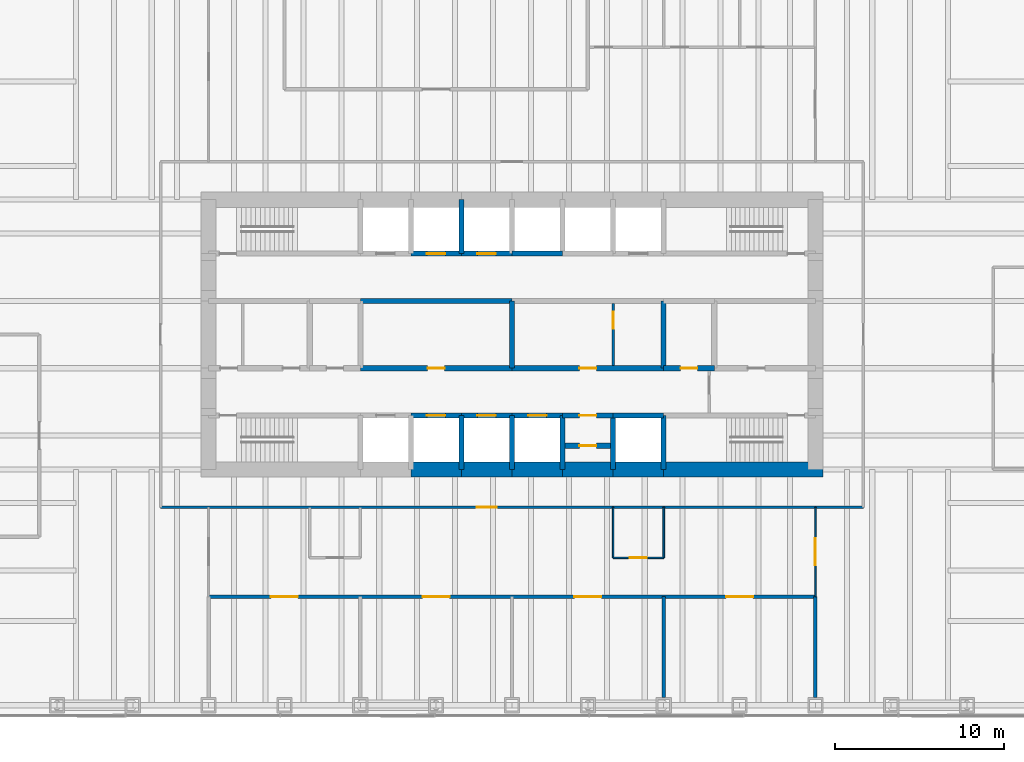
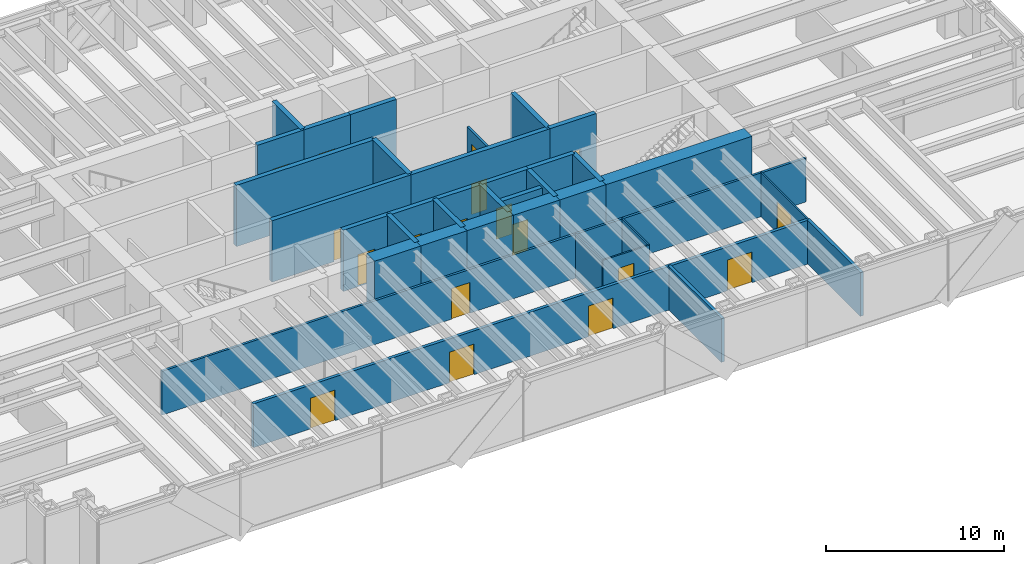
# One storey, part 12 of 15: 36 walls, 18 doors, 18 openings.
"""IFC4 building model written with IfcOpenShell, lengths in metres."""

import ifcopenshell
import ifcopenshell.guid

model = None  # the IFC model being written
_history = None  # IfcOwnerHistory: only IFC2X3 demands one
_inside = {}  # id of a spatial element -> (the spatial element, [elements in it])
_under = {}  # id of a project, library or spatial element -> (it, [spatial elements below it])
_declared = {}  # id of a project -> (the project, [libraries it declares])
_typed = {}  # id of a type object -> (the type object, [elements of that type])
_made_of = {}  # id of a material, layer set ... -> (it, [elements and type objects made of it])


def new_model(schema):
    """Start an empty IFC model of exactly this schema.

    Asked for "IFC4X3", IfcOpenShell would pick the latest addendum, in which some entities
    have other attributes; the version numbers below select the first issue.
    IFC2X3 requires an IfcOwnerHistory on every rooted entity: one is made here for all.
    """
    global model, _history
    if schema == "IFC4X3":
        model = ifcopenshell.file(schema_version=(4, 3, 0, 0))
    else:
        model = ifcopenshell.file(schema=schema)
    _inside.clear()
    _under.clear()
    _declared.clear()
    _typed.clear()
    _made_of.clear()
    _history = None
    if model.schema == "IFC2X3":
        org = make("IfcOrganization", Name="unknown")
        user = make(
            "IfcPersonAndOrganization",
            ThePerson=make("IfcPerson", FamilyName="unknown"),
            TheOrganization=org,
        )
        app = make(
            "IfcApplication",
            ApplicationDeveloper=org,
            Version="unknown",
            ApplicationFullName="unknown",
            ApplicationIdentifier="unknown",
        )
        _history = make(
            "IfcOwnerHistory",
            OwningUser=user,
            OwningApplication=app,
            ChangeAction="ADDED",
            CreationDate=0,
        )
    return model


def make(cls, **values):
    """One entity of the class cls with the attributes given. An attribute that is None is left unset."""
    return model.create_entity(
        cls, **{name: value for name, value in values.items() if value is not None}
    )


def rooted(cls, **values):
    """An entity with a GlobalId (a new one), such as an element, a storey or a relation."""
    return make(cls, GlobalId=ifcopenshell.guid.new(), OwnerHistory=_history, **values)


def si_unit(unit_type, name, prefix=None):
    """IfcSIUnit, for example si_unit("LENGTHUNIT", "METRE", prefix="MILLI")."""
    return make("IfcSIUnit", UnitType=unit_type, Prefix=prefix, Name=name)


def assignment(units):
    """IfcUnitAssignment: the units of a project."""
    return None if units is None else make("IfcUnitAssignment", Units=units)


def point(xyz):
    """IfcCartesianPoint."""
    return None if xyz is None else make("IfcCartesianPoint", Coordinates=xyz)


def direction(xyz):
    """IfcDirection."""
    return None if xyz is None else make("IfcDirection", DirectionRatios=xyz)


def frame(location, z_axis=None, x_axis=None):
    """IfcAxis2Placement3D, a coordinate frame: its origin and axes. An axis left out is left unset."""
    return make(
        "IfcAxis2Placement3D",
        Location=point(location),
        Axis=direction(z_axis),
        RefDirection=direction(x_axis),
    )


def frame_2d(location, x_axis=None):
    """IfcAxis2Placement2D, a coordinate frame in the plane: its origin and x axis."""
    return make(
        "IfcAxis2Placement2D", Location=point(location), RefDirection=direction(x_axis)
    )


def origin():
    """The frame at (0, 0, 0) with its axes left unset."""
    return frame((0.0, 0.0, 0.0))


def place(relative_to, where):
    """IfcLocalPlacement: puts the frame where relative to a parent placement (None: the world)."""
    return make(
        "IfcLocalPlacement", PlacementRelTo=relative_to, RelativePlacement=where
    )


def context(
    kind, dimensions, precision=None, world=None, true_north=None, identifier=None
):
    """IfcGeometricRepresentationContext, for example the 3D "Model" context."""
    return make(
        "IfcGeometricRepresentationContext",
        ContextIdentifier=identifier,
        ContextType=kind,
        CoordinateSpaceDimension=dimensions,
        Precision=precision,
        WorldCoordinateSystem=world,
        TrueNorth=true_north,
    )


def subcontext(parent, identifier, kind, view, scale=None):
    """IfcGeometricRepresentationSubContext, for example "Body" below "Model"."""
    return make(
        "IfcGeometricRepresentationSubContext",
        ContextIdentifier=identifier,
        ContextType=kind,
        ParentContext=parent,
        TargetScale=scale,
        TargetView=view,
    )


def project(units=None, contexts=None):
    """IfcProject with its units and contexts."""
    return rooted(
        "IfcProject",
        Name="project",
        RepresentationContexts=contexts,
        UnitsInContext=assignment(units),
    )


def spatial(cls, under=None, at=None, **own):
    """A site, building, storey or space (cls), placed at a placement, below another one or the project."""
    s = rooted(cls, ObjectPlacement=at, **own)
    if under is not None:
        _under.setdefault(under.id(), (under, []))[1].append(s)
    return s


def profile(cls, at=None, kind="AREA", **sizes):
    """A parametric profile (cls). Its sizes go by their IFC names, for example OverallWidth=200.0."""
    return make(cls, ProfileType=kind, Position=at, **sizes)


def rectangle(**sizes):
    """IfcRectangleProfileDef."""
    return profile("IfcRectangleProfileDef", **sizes)


def extrude(swept, where, along, depth):
    """IfcExtrudedAreaSolid: the profile swept, set in the frame where, extruded along a direction by depth."""
    return make(
        "IfcExtrudedAreaSolid",
        SweptArea=swept,
        Position=where,
        ExtrudedDirection=direction(along),
        Depth=depth,
    )


def shape(context_of_items, identifier, shape_type, items):
    """IfcShapeRepresentation: the items that make up one representation, for example the "Body"."""
    return make(
        "IfcShapeRepresentation",
        ContextOfItems=context_of_items,
        RepresentationIdentifier=identifier,
        RepresentationType=shape_type,
        Items=items,
    )


def material(Name=None, Category=None):
    """IfcMaterial."""
    return make("IfcMaterial", Name=Name, Category=Category)


def layer(
    of_material, thickness, ventilated=None, Name=None, Category=None, Priority=None
):
    """IfcMaterialLayer: one layer of a wall or slab, of a material (None: an air gap)."""
    return make(
        "IfcMaterialLayer",
        Material=of_material,
        LayerThickness=thickness,
        IsVentilated=ventilated,
        Name=Name,
        Category=Category,
        Priority=Priority,
    )


def layer_set(layers, Name=None):
    """IfcMaterialLayerSet."""
    return make("IfcMaterialLayerSet", MaterialLayers=layers, LayerSetName=Name)


def made_of(thing, what):
    """Note that an element or type object is made of a material, layer set ...; save() writes the relation."""
    if what is not None:
        _made_of.setdefault(what.id(), (what, []))[1].append(thing)
    return thing


def type_object(cls, material=None, **own):
    """A type object (cls), such as IfcWallType, which elements share."""
    return made_of(rooted(cls, **own), material)


def element(
    cls,
    number,
    at=None,
    inside=None,
    cuts=None,
    type_object=None,
    material=None,
    context=None,
    identifier="Body",
    shape_type=None,
    held_by="IfcProductDefinitionShape",
    body=None,
    shapes=None,
    **own,
):
    """One element of the class cls, such as IfcWall. Its Tag is "e" and its number.

    at: its placement. inside: the storey or other place that contains it. cuts: it is an
    opening in that element (IfcRelVoidsElement). A single representation is given by context,
    identifier, shape_type and body (its items); several are given by shapes. held_by: the class
    of the entity that holds the representations. save() writes the other relations.
    """
    e = rooted(cls, Tag="e%d" % number, ObjectPlacement=at, **own)
    if body is not None:
        shapes = [shape(context, identifier, shape_type, body)]
    if shapes is not None:
        e.Representation = make(held_by, Representations=shapes)
    if inside is not None:
        _inside.setdefault(inside.id(), (inside, []))[1].append(e)
    if cuts is not None:
        rooted(
            "IfcRelVoidsElement", RelatingBuildingElement=cuts, RelatedOpeningElement=e
        )
    if type_object is not None:
        _typed.setdefault(type_object.id(), (type_object, []))[1].append(e)
    return made_of(e, material)


def fill(opening, filler):
    """IfcRelFillsElement: the door or window that sits in an opening."""
    return rooted(
        "IfcRelFillsElement",
        RelatingOpeningElement=opening,
        RelatedBuildingElement=filler,
    )


def aggregate(whole, parts):
    """IfcRelAggregates: a whole, such as a stair, and the parts it consists of."""
    return rooted("IfcRelAggregates", RelatingObject=whole, RelatedObjects=parts)


def save(model, path):
    """Write the relations noted so far, then the file.

    IfcRelAggregates (storeys below a building ...), IfcRelContainedInSpatialStructure (elements
    in a storey), IfcRelDefinesByType, IfcRelAssociatesMaterial and IfcRelDeclares: one each for
    every whole, place, type object, material and project.
    """
    for whole, parts in _under.values():
        aggregate(whole, parts)
    for where, things in _inside.values():
        rooted(
            "IfcRelContainedInSpatialStructure",
            RelatedElements=things,
            RelatingStructure=where,
        )
    for kind, things in _typed.values():
        rooted("IfcRelDefinesByType", RelatedObjects=things, RelatingType=kind)
    for what, things in _made_of.values():
        rooted("IfcRelAssociatesMaterial", RelatedObjects=things, RelatingMaterial=what)
    for by, libraries in _declared.values():
        rooted("IfcRelDeclares", RelatingContext=by, RelatedDefinitions=libraries)
    model.write(path)


model = new_model("IFC4")

# Units and contexts
model_context = context("Model", 3, precision=1e-05, world=origin(), true_north=direction((0.0, 1.0)))
body_context = subcontext(model_context, "Body", "Model", "MODEL_VIEW")
ifc_project = project(units=[si_unit("LENGTHUNIT", "METRE"), si_unit("AREAUNIT", "SQUARE_METRE"), si_unit("VOLUMEUNIT", "CUBIC_METRE"), si_unit("PLANEANGLEUNIT", "RADIAN"), si_unit("MASSUNIT", "GRAM", prefix="KILO")], contexts=[model_context])

# Site, building, storey
site_placement = place(None, origin())
site = spatial("IfcSite", under=ifc_project, at=site_placement, CompositionType="ELEMENT")
building_placement = place(site_placement, origin())
building = spatial("IfcBuilding", under=site, at=building_placement, Name="Rheinbord Bourse Tower", CompositionType="ELEMENT")
storey_placement = place(building_placement, frame((0.0, 0.0, 146.699951171875)))
storey = spatial("IfcBuildingStorey", under=building, at=storey_placement, Name="L32", CompositionType="ELEMENT", Elevation=146.699951171875)

# Wall, openings, doors
ifc_material_1 = material(Name="Acoustic gypsum board partition", Category="gypsum board")
ifc_layer_1 = layer(ifc_material_1, 0.199951171875)
ifc_layer_set_1 = layer_set([ifc_layer_1], Name="ACOUSTIC PARTITION 200")
wall_type_1 = type_object("IfcWallType", Name="ACOUSTIC PARTITION 200", PredefinedType="PARTITIONING", material=ifc_layer_set_1)
wall_1_placement = place(storey_placement, frame((18.0, 8.449951171875, 0.0), z_axis=(0.0, 0.0, 1.0), x_axis=(1.0, 0.0, 0.0)))
wall_1 = element("IfcWall", 1, at=wall_1_placement, inside=storey, type_object=wall_type_1, Name="Partition L32-01", PredefinedType="PARTITIONING", context=body_context, shape_type="SweptSolid", body=[
    extrude(rectangle(XDim=36.0, YDim=0.199951171875, at=frame_2d((18.0, 0.0))), origin(), (0.0, 0.0, 1.0), 3.0),
])
opening_1_placement = place(wall_1_placement, frame((3.699951171875, 0.0, 0.0)))
opening_1 = element("IfcOpeningElement", 2, at=opening_1_placement, cuts=wall_1, Name="Opening 32D01", PredefinedType="OPENING", context=body_context, shape_type="SweptSolid", body=[
    extrude(rectangle(XDim=1.60009765625, YDim=2.10009765625, at=frame_2d((0.800048828125, 1.050048828125))), frame((0.0, 0.10986328125, 0.0), z_axis=(0.0, -1.0, 0.0), x_axis=(1.0, 0.0, 0.0)), (0.0, 0.0, 1.0), 0.219970703125),
])
opening_2_placement = place(wall_1_placement, frame((12.699951171875, 0.0, 0.0)))
opening_2 = element("IfcOpeningElement", 3, at=opening_2_placement, cuts=wall_1, Name="Opening 32D02", PredefinedType="OPENING", context=body_context, shape_type="SweptSolid", body=[
    extrude(rectangle(XDim=1.60009765625, YDim=2.10009765625, at=frame_2d((0.800048828125, 1.050048828125))), frame((0.0, 0.10986328125, 0.0), z_axis=(0.0, -1.0, 0.0), x_axis=(1.0, 0.0, 0.0)), (0.0, 0.0, 1.0), 0.219970703125),
])
opening_3_placement = place(wall_1_placement, frame((21.699951171875, 0.0, 0.0)))
opening_3 = element("IfcOpeningElement", 4, at=opening_3_placement, cuts=wall_1, Name="Opening 32D03", PredefinedType="OPENING", context=body_context, shape_type="SweptSolid", body=[
    extrude(rectangle(XDim=1.60009765625, YDim=2.10009765625, at=frame_2d((0.800048828125, 1.050048828125))), frame((0.0, 0.10986328125, 0.0), z_axis=(0.0, -1.0, 0.0), x_axis=(1.0, 0.0, 0.0)), (0.0, 0.0, 1.0), 0.219970703125),
])
opening_4_placement = place(wall_1_placement, frame((30.699951171875, 0.0, 0.0)))
opening_4 = element("IfcOpeningElement", 5, at=opening_4_placement, cuts=wall_1, Name="Opening 32D04", PredefinedType="OPENING", context=body_context, shape_type="SweptSolid", body=[
    extrude(rectangle(XDim=1.60009765625, YDim=2.10009765625, at=frame_2d((0.800048828125, 1.050048828125))), frame((0.0, 0.10986328125, 0.0), z_axis=(0.0, -1.0, 0.0), x_axis=(1.0, 0.0, 0.0)), (0.0, 0.0, 1.0), 0.219970703125),
])
ifc_material_2 = material(Name="Timber door", Category="wood")
door_type_1 = type_object("IfcDoorType", Name="DOUBLE ROOM DOOR 1600", OperationType="DOUBLE_DOOR_DOUBLE_SWING", PredefinedType="DOOR", material=ifc_material_2)
door_1_placement = place(opening_1_placement, origin())
door_1 = element("IfcDoor", 6, at=door_1_placement, inside=storey, type_object=door_type_1, Name="Seminar room door L32", OperationType="SINGLE_SWING_LEFT", OverallHeight=2.10009765625, OverallWidth=1.60009765625, PredefinedType="DOOR", context=body_context, shape_type="SweptSolid", body=[
    extrude(rectangle(XDim=1.60009765625, YDim=2.10009765625, at=frame_2d((0.800048828125, 1.050048828125))), frame((0.0, 0.02490234375, 0.0), z_axis=(0.0, -1.0, 0.0), x_axis=(1.0, 0.0, 0.0)), (0.0, 0.0, 1.0), 0.050048828125),
])
fill(opening_1, door_1)
door_2_placement = place(opening_2_placement, origin())
door_2 = element("IfcDoor", 7, at=door_2_placement, inside=storey, type_object=door_type_1, Name="Seminar room door L32", OperationType="SINGLE_SWING_LEFT", OverallHeight=2.10009765625, OverallWidth=1.60009765625, PredefinedType="DOOR", context=body_context, shape_type="SweptSolid", body=[
    extrude(rectangle(XDim=1.60009765625, YDim=2.10009765625, at=frame_2d((0.800048828125, 1.050048828125))), frame((0.0, 0.02490234375, 0.0), z_axis=(0.0, -1.0, 0.0), x_axis=(1.0, 0.0, 0.0)), (0.0, 0.0, 1.0), 0.050048828125),
])
fill(opening_2, door_2)
door_3_placement = place(opening_3_placement, origin())
door_3 = element("IfcDoor", 8, at=door_3_placement, inside=storey, type_object=door_type_1, Name="Seminar room door L32", OperationType="SINGLE_SWING_LEFT", OverallHeight=2.10009765625, OverallWidth=1.60009765625, PredefinedType="DOOR", context=body_context, shape_type="SweptSolid", body=[
    extrude(rectangle(XDim=1.60009765625, YDim=2.10009765625, at=frame_2d((0.800048828125, 1.050048828125))), frame((0.0, 0.02490234375, 0.0), z_axis=(0.0, -1.0, 0.0), x_axis=(1.0, 0.0, 0.0)), (0.0, 0.0, 1.0), 0.050048828125),
])
fill(opening_3, door_3)
door_4_placement = place(opening_4_placement, origin())
door_4 = element("IfcDoor", 9, at=door_4_placement, inside=storey, type_object=door_type_1, Name="Seminar room door L32", OperationType="SINGLE_SWING_LEFT", OverallHeight=2.10009765625, OverallWidth=1.60009765625, PredefinedType="DOOR", context=body_context, shape_type="SweptSolid", body=[
    extrude(rectangle(XDim=1.60009765625, YDim=2.10009765625, at=frame_2d((0.800048828125, 1.050048828125))), frame((0.0, 0.02490234375, 0.0), z_axis=(0.0, -1.0, 0.0), x_axis=(1.0, 0.0, 0.0)), (0.0, 0.0, 1.0), 0.050048828125),
])
fill(opening_4, door_4)

# Walls
for number, where, z_axis, x_axis, name in (
    (10, (45.0, 2.449951171875, 0.0), (0.0, 0.0, 1.0), (0.0, 1.0, 0.0), "Partition L32-26"),
    (11, (54.0, 2.449951171875, 0.0), (0.0, 0.0, 1.0), (0.0, 1.0, 0.0), "Partition L32-30"),
):
    element("IfcWall", number, at=place(storey_placement, frame(where, z_axis=z_axis, x_axis=x_axis)), inside=storey, type_object=wall_type_1, Name=name, PredefinedType="PARTITIONING", context=body_context, shape_type="SweptSolid", body=[
        extrude(rectangle(XDim=6.0, YDim=0.199951171875, at=frame_2d((3.0, 0.0))), origin(), (0.0, 0.0, 1.0), 3.0),
    ])

# Wall, opening, door
ifc_material_3 = material(Name="Concrete C50/60", Category="concrete")
ifc_layer_2 = layer(ifc_material_3, 0.300048828125)
ifc_layer_set_2 = layer_set([ifc_layer_2], Name="CORE INNER WALL 300")
wall_type_2 = type_object("IfcWallType", Name="CORE INNER WALL 300", PredefinedType="SOLIDWALL", material=ifc_layer_set_2)
wall_2_placement = place(storey_placement, frame((30.0, 19.199951171875, 0.0), z_axis=(0.0, 0.0, 1.0), x_axis=(1.0, 0.0, 0.0)))
wall_2 = element("IfcWall", 12, at=wall_2_placement, inside=storey, type_object=wall_type_2, Name="Core wall A3 L32", PredefinedType="SOLIDWALL", context=body_context, shape_type="SweptSolid", body=[
    extrude(rectangle(XDim=3.0, YDim=0.300048828125, at=frame_2d((1.5, 0.0))), origin(), (0.0, 0.0, 1.0), 4.199951171875),
])
opening_5_placement = place(wall_2_placement, frame((0.949951171875, 0.0, 0.0)))
opening_5 = element("IfcOpeningElement", 13, at=opening_5_placement, cuts=wall_2, Name="Opening PB1", PredefinedType="OPENING", context=body_context, shape_type="SweptSolid", body=[
    extrude(rectangle(XDim=1.10009765625, YDim=2.199951171875, at=frame_2d((0.550048828125, 1.10009765625))), frame((0.0, 0.159912109375, 0.0), z_axis=(0.0, -1.0, 0.0), x_axis=(1.0, 0.0, 0.0)), (0.0, 0.0, 1.0), 0.320068359375),
])
ifc_material_4 = material(Name="Steel landing door", Category="steel")
door_type_2 = type_object("IfcDoorType", Name="LIFT LANDING DOOR 1100", OperationType="DOUBLE_DOOR_SLIDING", PredefinedType="USERDEFINED", material=ifc_material_4)
door_5_placement = place(opening_5_placement, origin())
door_5 = element("IfcDoor", 14, at=door_5_placement, inside=storey, type_object=door_type_2, Name="Lift landing door PB1 L32", ObjectType="LIFT LANDING DOOR", OperationType="DOUBLE_DOOR_SLIDING", OverallHeight=2.199951171875, OverallWidth=1.10009765625, PredefinedType="USERDEFINED", context=body_context, shape_type="SweptSolid", body=[
    extrude(rectangle(XDim=1.10009765625, YDim=2.199951171875, at=frame_2d((0.550048828125, 1.10009765625))), frame((0.0, 0.02490234375, 0.0), z_axis=(0.0, -1.0, 0.0), x_axis=(1.0, 0.0, 0.0)), (0.0, 0.0, 1.0), 0.050048828125),
])
fill(opening_5, door_5)

wall_3_placement = place(storey_placement, frame((33.0, 19.199951171875, 0.0), z_axis=(0.0, 0.0, 1.0), x_axis=(1.0, 0.0, 0.0)))
wall_3 = element("IfcWall", 15, at=wall_3_placement, inside=storey, type_object=wall_type_2, Name="Core wall A4 L32", PredefinedType="SOLIDWALL", context=body_context, shape_type="SweptSolid", body=[
    extrude(rectangle(XDim=3.0, YDim=0.300048828125, at=frame_2d((1.5, 0.0))), origin(), (0.0, 0.0, 1.0), 4.199951171875),
])
opening_6_placement = place(wall_3_placement, frame((0.949951171875, 0.0, 0.0)))
opening_6 = element("IfcOpeningElement", 16, at=opening_6_placement, cuts=wall_3, Name="Opening PB2", PredefinedType="OPENING", context=body_context, shape_type="SweptSolid", body=[
    extrude(rectangle(XDim=1.10009765625, YDim=2.199951171875, at=frame_2d((0.550048828125, 1.10009765625))), frame((0.0, 0.159912109375, 0.0), z_axis=(0.0, -1.0, 0.0), x_axis=(1.0, 0.0, 0.0)), (0.0, 0.0, 1.0), 0.320068359375),
])
door_6_placement = place(opening_6_placement, origin())
door_6 = element("IfcDoor", 17, at=door_6_placement, inside=storey, type_object=door_type_2, Name="Lift landing door PB2 L32", ObjectType="LIFT LANDING DOOR", OperationType="DOUBLE_DOOR_SLIDING", OverallHeight=2.199951171875, OverallWidth=1.10009765625, PredefinedType="USERDEFINED", context=body_context, shape_type="SweptSolid", body=[
    extrude(rectangle(XDim=1.10009765625, YDim=2.199951171875, at=frame_2d((0.550048828125, 1.10009765625))), frame((0.0, 0.02490234375, 0.0), z_axis=(0.0, -1.0, 0.0), x_axis=(1.0, 0.0, 0.0)), (0.0, 0.0, 1.0), 0.050048828125),
])
fill(opening_6, door_6)

wall_4_placement = place(storey_placement, frame((36.0, 19.199951171875, 0.0), z_axis=(0.0, 0.0, 1.0), x_axis=(1.0, 0.0, 0.0)))
wall_4 = element("IfcWall", 18, at=wall_4_placement, inside=storey, type_object=wall_type_2, Name="Core wall A5 L32", PredefinedType="SOLIDWALL", context=body_context, shape_type="SweptSolid", body=[
    extrude(rectangle(XDim=3.0, YDim=0.300048828125, at=frame_2d((1.5, 0.0))), origin(), (0.0, 0.0, 1.0), 4.199951171875),
])
opening_7_placement = place(wall_4_placement, frame((0.949951171875, 0.0, 0.0)))
opening_7 = element("IfcOpeningElement", 19, at=opening_7_placement, cuts=wall_4, Name="Opening PB3", PredefinedType="OPENING", context=body_context, shape_type="SweptSolid", body=[
    extrude(rectangle(XDim=1.10009765625, YDim=2.199951171875, at=frame_2d((0.550048828125, 1.10009765625))), frame((0.0, 0.159912109375, 0.0), z_axis=(0.0, -1.0, 0.0), x_axis=(1.0, 0.0, 0.0)), (0.0, 0.0, 1.0), 0.320068359375),
])
door_7_placement = place(opening_7_placement, origin())
door_7 = element("IfcDoor", 20, at=door_7_placement, inside=storey, type_object=door_type_2, Name="Lift landing door PB3 L32", ObjectType="LIFT LANDING DOOR", OperationType="DOUBLE_DOOR_SLIDING", OverallHeight=2.199951171875, OverallWidth=1.10009765625, PredefinedType="USERDEFINED", context=body_context, shape_type="SweptSolid", body=[
    extrude(rectangle(XDim=1.10009765625, YDim=2.199951171875, at=frame_2d((0.550048828125, 1.10009765625))), frame((0.0, 0.02490234375, 0.0), z_axis=(0.0, -1.0, 0.0), x_axis=(1.0, 0.0, 0.0)), (0.0, 0.0, 1.0), 0.050048828125),
])
fill(opening_7, door_7)

wall_5_placement = place(storey_placement, frame((39.0, 19.199951171875, 0.0), z_axis=(0.0, 0.0, 1.0), x_axis=(1.0, 0.0, 0.0)))
wall_5 = element("IfcWall", 21, at=wall_5_placement, inside=storey, type_object=wall_type_2, Name="Core wall A6 L32", PredefinedType="SOLIDWALL", context=body_context, shape_type="SweptSolid", body=[
    extrude(rectangle(XDim=3.0, YDim=0.300048828125, at=frame_2d((1.5, 0.0))), origin(), (0.0, 0.0, 1.0), 4.199951171875),
])
opening_8_placement = place(wall_5_placement, frame((1.0, 0.0, 0.0)))
opening_8 = element("IfcOpeningElement", 22, at=opening_8_placement, cuts=wall_5, Name="Opening 32R8", PredefinedType="OPENING", context=body_context, shape_type="SweptSolid", body=[
    extrude(rectangle(XDim=1.0, YDim=2.10009765625, at=frame_2d((0.5, 1.050048828125))), frame((0.0, 0.159912109375, 0.0), z_axis=(0.0, -1.0, 0.0), x_axis=(1.0, 0.0, 0.0)), (0.0, 0.0, 1.0), 0.320068359375),
])
ifc_material_5 = material(Name="Steel door", Category="steel")
door_type_3 = type_object("IfcDoorType", Name="DOOR 1000 EI30", OperationType="SINGLE_SWING_LEFT", PredefinedType="DOOR", material=ifc_material_5)
door_8_placement = place(opening_8_placement, origin())
door_8 = element("IfcDoor", 23, at=door_8_placement, inside=storey, type_object=door_type_3, Name="Cleaner's store door L32", OperationType="SINGLE_SWING_LEFT", OverallHeight=2.10009765625, OverallWidth=1.0, PredefinedType="DOOR", context=body_context, shape_type="SweptSolid", body=[
    extrude(rectangle(XDim=1.0, YDim=2.10009765625, at=frame_2d((0.5, 1.050048828125))), frame((0.0, 0.02490234375, 0.0), z_axis=(0.0, -1.0, 0.0), x_axis=(1.0, 0.0, 0.0)), (0.0, 0.0, 1.0), 0.050048828125),
])
fill(opening_8, door_8)

# Wall
wall_6_placement = place(storey_placement, frame((42.0, 19.199951171875, 0.0), z_axis=(0.0, 0.0, 1.0), x_axis=(1.0, 0.0, 0.0)))
element("IfcWall", 24, at=wall_6_placement, inside=storey, type_object=wall_type_2, Name="Core wall A7 L32", PredefinedType="SOLIDWALL", context=body_context, shape_type="SweptSolid", body=[
    extrude(rectangle(XDim=3.0, YDim=0.300048828125, at=frame_2d((1.5, 0.0))), origin(), (0.0, 0.0, 1.0), 4.199951171875),
])

# Wall, opening, door
wall_7_placement = place(storey_placement, frame((30.0, 28.800048828125, 0.0), z_axis=(0.0, 0.0, 1.0), x_axis=(1.0, 0.0, 0.0)))
wall_7 = element("IfcWall", 25, at=wall_7_placement, inside=storey, type_object=wall_type_2, Name="Core wall B3 L32", PredefinedType="SOLIDWALL", context=body_context, shape_type="SweptSolid", body=[
    extrude(rectangle(XDim=3.0, YDim=0.300048828125, at=frame_2d((1.5, 0.0))), origin(), (0.0, 0.0, 1.0), 4.199951171875),
])
opening_9_placement = place(wall_7_placement, frame((0.949951171875, 0.0, 0.0)))
opening_9 = element("IfcOpeningElement", 26, at=opening_9_placement, cuts=wall_7, Name="Opening PB4", PredefinedType="OPENING", context=body_context, shape_type="SweptSolid", body=[
    extrude(rectangle(XDim=1.10009765625, YDim=2.199951171875, at=frame_2d((0.550048828125, 1.10009765625))), frame((0.0, 0.159912109375, 0.0), z_axis=(0.0, -1.0, 0.0), x_axis=(1.0, 0.0, 0.0)), (0.0, 0.0, 1.0), 0.320068359375),
])
door_9_placement = place(opening_9_placement, origin())
door_9 = element("IfcDoor", 27, at=door_9_placement, inside=storey, type_object=door_type_2, Name="Lift landing door PB4 L32", ObjectType="LIFT LANDING DOOR", OperationType="DOUBLE_DOOR_SLIDING", OverallHeight=2.199951171875, OverallWidth=1.10009765625, PredefinedType="USERDEFINED", context=body_context, shape_type="SweptSolid", body=[
    extrude(rectangle(XDim=1.10009765625, YDim=2.199951171875, at=frame_2d((0.550048828125, 1.10009765625))), frame((0.0, 0.02490234375, 0.0), z_axis=(0.0, -1.0, 0.0), x_axis=(1.0, 0.0, 0.0)), (0.0, 0.0, 1.0), 0.050048828125),
])
fill(opening_9, door_9)

wall_8_placement = place(storey_placement, frame((33.0, 28.800048828125, 0.0), z_axis=(0.0, 0.0, 1.0), x_axis=(1.0, 0.0, 0.0)))
wall_8 = element("IfcWall", 28, at=wall_8_placement, inside=storey, type_object=wall_type_2, Name="Core wall B4 L32", PredefinedType="SOLIDWALL", context=body_context, shape_type="SweptSolid", body=[
    extrude(rectangle(XDim=3.0, YDim=0.300048828125, at=frame_2d((1.5, 0.0))), origin(), (0.0, 0.0, 1.0), 4.199951171875),
])
opening_10_placement = place(wall_8_placement, frame((0.949951171875, 0.0, 0.0)))
opening_10 = element("IfcOpeningElement", 29, at=opening_10_placement, cuts=wall_8, Name="Opening PB5", PredefinedType="OPENING", context=body_context, shape_type="SweptSolid", body=[
    extrude(rectangle(XDim=1.10009765625, YDim=2.199951171875, at=frame_2d((0.550048828125, 1.10009765625))), frame((0.0, 0.159912109375, 0.0), z_axis=(0.0, -1.0, 0.0), x_axis=(1.0, 0.0, 0.0)), (0.0, 0.0, 1.0), 0.320068359375),
])
door_10_placement = place(opening_10_placement, origin())
door_10 = element("IfcDoor", 30, at=door_10_placement, inside=storey, type_object=door_type_2, Name="Lift landing door PB5 L32", ObjectType="LIFT LANDING DOOR", OperationType="DOUBLE_DOOR_SLIDING", OverallHeight=2.199951171875, OverallWidth=1.10009765625, PredefinedType="USERDEFINED", context=body_context, shape_type="SweptSolid", body=[
    extrude(rectangle(XDim=1.10009765625, YDim=2.199951171875, at=frame_2d((0.550048828125, 1.10009765625))), frame((0.0, 0.02490234375, 0.0), z_axis=(0.0, -1.0, 0.0), x_axis=(1.0, 0.0, 0.0)), (0.0, 0.0, 1.0), 0.050048828125),
])
fill(opening_10, door_10)

# Wall
wall_9_placement = place(storey_placement, frame((36.0, 28.800048828125, 0.0), z_axis=(0.0, 0.0, 1.0), x_axis=(1.0, 0.0, 0.0)))
element("IfcWall", 31, at=wall_9_placement, inside=storey, type_object=wall_type_2, Name="Core wall B5 L32", PredefinedType="SOLIDWALL", context=body_context, shape_type="SweptSolid", body=[
    extrude(rectangle(XDim=3.0, YDim=0.300048828125, at=frame_2d((1.5, 0.0))), origin(), (0.0, 0.0, 1.0), 4.199951171875),
])

# Wall, opening, door
wall_10_placement = place(storey_placement, frame((27.0, 22.0, 0.0), z_axis=(0.0, 0.0, 1.0), x_axis=(1.0, 0.0, 0.0)))
wall_10 = element("IfcWall", 32, at=wall_10_placement, inside=storey, type_object=wall_type_2, Name="Core wall C3 L32", PredefinedType="SOLIDWALL", context=body_context, shape_type="SweptSolid", body=[
    extrude(rectangle(XDim=9.0, YDim=0.300048828125, at=frame_2d((4.5, 0.0))), origin(), (0.0, 0.0, 1.0), 4.199951171875),
])
opening_11_placement = place(wall_10_placement, frame((4.0, 0.0, 0.0)))
opening_11 = element("IfcOpeningElement", 33, at=opening_11_placement, cuts=wall_10, Name="Opening 32R3", PredefinedType="OPENING", context=body_context, shape_type="SweptSolid", body=[
    extrude(rectangle(XDim=1.0, YDim=2.10009765625, at=frame_2d((0.5, 1.050048828125))), frame((0.0, 0.159912109375, 0.0), z_axis=(0.0, -1.0, 0.0), x_axis=(1.0, 0.0, 0.0)), (0.0, 0.0, 1.0), 0.320068359375),
])
door_11_placement = place(opening_11_placement, origin())
door_11 = element("IfcDoor", 34, at=door_11_placement, inside=storey, type_object=door_type_3, Name="Riser door L32", OperationType="SINGLE_SWING_LEFT", OverallHeight=2.10009765625, OverallWidth=1.0, PredefinedType="DOOR", context=body_context, shape_type="SweptSolid", body=[
    extrude(rectangle(XDim=1.0, YDim=2.10009765625, at=frame_2d((0.5, 1.050048828125))), frame((0.0, 0.02490234375, 0.0), z_axis=(0.0, -1.0, 0.0), x_axis=(1.0, 0.0, 0.0)), (0.0, 0.0, 1.0), 0.050048828125),
])
fill(opening_11, door_11)

wall_11_placement = place(storey_placement, frame((36.0, 22.0, 0.0), z_axis=(0.0, 0.0, 1.0), x_axis=(1.0, 0.0, 0.0)))
wall_11 = element("IfcWall", 35, at=wall_11_placement, inside=storey, type_object=wall_type_2, Name="Core wall C4 L32", PredefinedType="SOLIDWALL", context=body_context, shape_type="SweptSolid", body=[
    extrude(rectangle(XDim=9.0, YDim=0.300048828125, at=frame_2d((4.5, 0.0))), origin(), (0.0, 0.0, 1.0), 4.199951171875),
])
opening_12_placement = place(wall_11_placement, frame((4.0, 0.0, 0.0)))
opening_12 = element("IfcOpeningElement", 36, at=opening_12_placement, cuts=wall_11, Name="Opening 32R4", PredefinedType="OPENING", context=body_context, shape_type="SweptSolid", body=[
    extrude(rectangle(XDim=1.0, YDim=2.10009765625, at=frame_2d((0.5, 1.050048828125))), frame((0.0, 0.159912109375, 0.0), z_axis=(0.0, -1.0, 0.0), x_axis=(1.0, 0.0, 0.0)), (0.0, 0.0, 1.0), 0.320068359375),
])
door_12_placement = place(opening_12_placement, origin())
door_12 = element("IfcDoor", 37, at=door_12_placement, inside=storey, type_object=door_type_3, Name="IT room door L32", OperationType="SINGLE_SWING_LEFT", OverallHeight=2.10009765625, OverallWidth=1.0, PredefinedType="DOOR", context=body_context, shape_type="SweptSolid", body=[
    extrude(rectangle(XDim=1.0, YDim=2.10009765625, at=frame_2d((0.5, 1.050048828125))), frame((0.0, 0.02490234375, 0.0), z_axis=(0.0, -1.0, 0.0), x_axis=(1.0, 0.0, 0.0)), (0.0, 0.0, 1.0), 0.050048828125),
])
fill(opening_12, door_12)

wall_12_placement = place(storey_placement, frame((45.0, 22.0, 0.0), z_axis=(0.0, 0.0, 1.0), x_axis=(1.0, 0.0, 0.0)))
wall_12 = element("IfcWall", 38, at=wall_12_placement, inside=storey, type_object=wall_type_2, Name="Core wall C5 L32", PredefinedType="SOLIDWALL", context=body_context, shape_type="SweptSolid", body=[
    extrude(rectangle(XDim=3.0, YDim=0.300048828125, at=frame_2d((1.5, 0.0))), origin(), (0.0, 0.0, 1.0), 4.199951171875),
])
opening_13_placement = place(wall_12_placement, frame((1.0, 0.0, 0.0)))
opening_13 = element("IfcOpeningElement", 39, at=opening_13_placement, cuts=wall_12, Name="Opening 32R5", PredefinedType="OPENING", context=body_context, shape_type="SweptSolid", body=[
    extrude(rectangle(XDim=1.0, YDim=2.10009765625, at=frame_2d((0.5, 1.050048828125))), frame((0.0, 0.159912109375, 0.0), z_axis=(0.0, -1.0, 0.0), x_axis=(1.0, 0.0, 0.0)), (0.0, 0.0, 1.0), 0.320068359375),
])
ifc_material_6 = material(Name="Timber door", Category="wood")
door_type_4 = type_object("IfcDoorType", Name="DOOR 1000 WC", OperationType="SINGLE_SWING_LEFT", PredefinedType="DOOR", material=ifc_material_6)
door_13_placement = place(opening_13_placement, origin())
door_13 = element("IfcDoor", 40, at=door_13_placement, inside=storey, type_object=door_type_4, Name="Accessible WC door L32", OperationType="SINGLE_SWING_LEFT", OverallHeight=2.10009765625, OverallWidth=1.0, PredefinedType="DOOR", context=body_context, shape_type="SweptSolid", body=[
    extrude(rectangle(XDim=1.0, YDim=2.10009765625, at=frame_2d((0.5, 1.050048828125))), frame((0.0, 0.02490234375, 0.0), z_axis=(0.0, -1.0, 0.0), x_axis=(1.0, 0.0, 0.0)), (0.0, 0.0, 1.0), 0.050048828125),
])
fill(opening_13, door_13)

# Walls
wall_13_placement = place(storey_placement, frame((27.0, 26.0, 0.0), z_axis=(0.0, 0.0, 1.0), x_axis=(1.0, 0.0, 0.0)))
element("IfcWall", 41, at=wall_13_placement, inside=storey, type_object=wall_type_2, Name="Core wall D3 L32", PredefinedType="SOLIDWALL", context=body_context, shape_type="SweptSolid", body=[
    extrude(rectangle(XDim=9.0, YDim=0.300048828125, at=frame_2d((4.5, 0.0))), origin(), (0.0, 0.0, 1.0), 4.199951171875),
])
for number, where, z_axis, x_axis, name in (
    (42, (33.0, 16.0, 0.0), (0.0, 0.0, 1.0), (0.0, 1.0, 0.0), "Core wall SX33 L32"),
    (43, (33.0, 28.800048828125, 0.0), (0.0, 0.0, 1.0), (0.0, 1.0, 0.0), "Core wall NX33 L32"),
    (44, (36.0, 16.0, 0.0), (0.0, 0.0, 1.0), (0.0, 1.0, 0.0), "Core wall SX36 L32"),
    (45, (39.0, 16.0, 0.0), (0.0, 0.0, 1.0), (0.0, 1.0, 0.0), "Core wall SX39 L32"),
    (46, (42.0, 16.0, 0.0), (0.0, 0.0, 1.0), (0.0, 1.0, 0.0), "Core wall SX42 L32"),
    (47, (45.0, 16.0, 0.0), (0.0, 0.0, 1.0), (0.0, 1.0, 0.0), "Core wall SX45 L32"),
):
    element("IfcWall", number, at=place(storey_placement, frame(where, z_axis=z_axis, x_axis=x_axis)), inside=storey, type_object=wall_type_2, Name=name, PredefinedType="SOLIDWALL", context=body_context, shape_type="SweptSolid", body=[
        extrude(rectangle(XDim=3.199951171875, YDim=0.300048828125, at=frame_2d((1.60009765625, 0.0))), origin(), (0.0, 0.0, 1.0), 4.199951171875),
    ])
for number, where, z_axis, x_axis, name in (
    (48, (36.0, 22.0, 0.0), (0.0, 0.0, 1.0), (0.0, 1.0, 0.0), "Core wall MX36 L32"),
    (49, (45.0, 22.0, 0.0), (0.0, 0.0, 1.0), (0.0, 1.0, 0.0), "Core wall MX45 L32"),
):
    element("IfcWall", number, at=place(storey_placement, frame(where, z_axis=z_axis, x_axis=x_axis)), inside=storey, type_object=wall_type_2, Name=name, PredefinedType="SOLIDWALL", context=body_context, shape_type="SweptSolid", body=[
        extrude(rectangle(XDim=4.0, YDim=0.300048828125, at=frame_2d((2.0, 0.0))), origin(), (0.0, 0.0, 1.0), 4.199951171875),
    ])

# Wall, opening, door
wall_14_placement = place(storey_placement, frame((39.14990234375, 17.39990234375, 0.0), z_axis=(0.0, 0.0, 1.0), x_axis=(1.0, 0.0, 0.0)))
wall_14 = element("IfcWall", 50, at=wall_14_placement, inside=storey, type_object=wall_type_2, Name="Core riser wall L32-6", PredefinedType="SOLIDWALL", context=body_context, shape_type="SweptSolid", body=[
    extrude(rectangle(XDim=2.7001953125, YDim=0.300048828125, at=frame_2d((1.35009765625, 0.0))), origin(), (0.0, 0.0, 1.0), 4.0400390625),
])
opening_14_placement = place(wall_14_placement, frame((0.85009765625, 0.0, 0.0)))
opening_14 = element("IfcOpeningElement", 51, at=opening_14_placement, cuts=wall_14, Name="Opening 32R12", PredefinedType="OPENING", context=body_context, shape_type="SweptSolid", body=[
    extrude(rectangle(XDim=1.0, YDim=2.10009765625, at=frame_2d((0.5, 1.050048828125))), frame((0.0, 0.159912109375, 0.0), z_axis=(0.0, -1.0, 0.0), x_axis=(1.0, 0.0, 0.0)), (0.0, 0.0, 1.0), 0.320068359375),
])
door_14_placement = place(opening_14_placement, origin())
door_14 = element("IfcDoor", 52, at=door_14_placement, inside=storey, type_object=door_type_3, Name="Comms riser door L32", OperationType="SINGLE_SWING_LEFT", OverallHeight=2.10009765625, OverallWidth=1.0, PredefinedType="DOOR", context=body_context, shape_type="SweptSolid", body=[
    extrude(rectangle(XDim=1.0, YDim=2.10009765625, at=frame_2d((0.5, 1.050048828125))), frame((0.0, 0.02490234375, 0.0), z_axis=(0.0, -1.0, 0.0), x_axis=(1.0, 0.0, 0.0)), (0.0, 0.0, 1.0), 0.050048828125),
])
fill(opening_14, door_14)

ifc_material_7 = material(Name="Gypsum board fire partition", Category="gypsum board")
ifc_layer_3 = layer(ifc_material_7, 0.14990234375)
ifc_layer_set_3 = layer_set([ifc_layer_3], Name="CORE PARTITION 150 EI30")
wall_type_3 = type_object("IfcWallType", Name="CORE PARTITION 150 EI30", PredefinedType="PARTITIONING", material=ifc_layer_set_3)
wall_15_placement = place(storey_placement, frame((42.0, 22.14990234375, 0.0), z_axis=(0.0, 0.0, 1.0), x_axis=(0.0, 1.0, 0.0)))
wall_15 = element("IfcWall", 53, at=wall_15_placement, inside=storey, type_object=wall_type_3, Name="Core partition L32-1", PredefinedType="PARTITIONING", context=body_context, shape_type="SweptSolid", body=[
    extrude(rectangle(XDim=3.7001953125, YDim=0.14990234375, at=frame_2d((1.85009765625, 0.0))), origin(), (0.0, 0.0, 1.0), 3.0),
])
opening_15_placement = place(wall_15_placement, frame((2.199951171875, 0.0, 0.0)))
opening_15 = element("IfcOpeningElement", 54, at=opening_15_placement, cuts=wall_15, Name="Opening 32R7", PredefinedType="OPENING", context=body_context, shape_type="SweptSolid", body=[
    extrude(rectangle(XDim=1.0, YDim=2.10009765625, at=frame_2d((0.5, 1.050048828125))), frame((0.0, 0.0849609375, 0.0), z_axis=(0.0, -1.0, 0.0), x_axis=(1.0, 0.0, 0.0)), (0.0, 0.0, 1.0), 0.169921875),
])
door_15_placement = place(opening_15_placement, origin())
door_15 = element("IfcDoor", 55, at=door_15_placement, inside=storey, type_object=door_type_3, Name="Store door L32", OperationType="SINGLE_SWING_RIGHT", OverallHeight=2.10009765625, OverallWidth=1.0, PredefinedType="DOOR", context=body_context, shape_type="SweptSolid", body=[
    extrude(rectangle(XDim=1.0, YDim=2.10009765625, at=frame_2d((0.5, 1.050048828125))), frame((0.0, 0.02490234375, 0.0), z_axis=(0.0, -1.0, 0.0), x_axis=(1.0, 0.0, 0.0)), (0.0, 0.0, 1.0), 0.050048828125),
])
fill(opening_15, door_15)

# Walls
ifc_material_8 = material(Name="Concrete C50/60", Category="concrete")
ifc_layer_4 = layer(ifc_material_8, 0.89990234375)
ifc_layer_set_4 = layer_set([ifc_layer_4], Name="CORE WALL 900")
wall_type_4 = type_object("IfcWallType", Name="CORE WALL 900", PredefinedType="SHEAR", material=ifc_layer_set_4)
for number, where, z_axis, x_axis, name in (
    (56, (30.0, 16.0, 0.0), (0.0, 0.0, 1.0), (1.0, 0.0, 0.0), "Core wall S3 L32"),
    (57, (33.0, 16.0, 0.0), (0.0, 0.0, 1.0), (1.0, 0.0, 0.0), "Core wall S4 L32"),
    (58, (36.0, 16.0, 0.0), (0.0, 0.0, 1.0), (1.0, 0.0, 0.0), "Core wall S5 L32"),
    (59, (39.0, 16.0, 0.0), (0.0, 0.0, 1.0), (1.0, 0.0, 0.0), "Core wall S6 L32"),
    (60, (42.0, 16.0, 0.0), (0.0, 0.0, 1.0), (1.0, 0.0, 0.0), "Core wall S7 L32"),
):
    element("IfcWall", number, at=place(storey_placement, frame(where, z_axis=z_axis, x_axis=x_axis)), inside=storey, type_object=wall_type_4, Name=name, PredefinedType="SHEAR", context=body_context, shape_type="SweptSolid", body=[
        extrude(rectangle(XDim=3.0, YDim=0.89990234375, at=frame_2d((1.5, 0.0))), origin(), (0.0, 0.0, 1.0), 4.199951171875),
    ])
wall_16_placement = place(storey_placement, frame((45.0, 16.0, 0.0), z_axis=(0.0, 0.0, 1.0), x_axis=(1.0, 0.0, 0.0)))
element("IfcWall", 61, at=wall_16_placement, inside=storey, type_object=wall_type_4, Name="Core wall S8 L32", PredefinedType="SHEAR", context=body_context, shape_type="SweptSolid", body=[
    extrude(rectangle(XDim=9.449951171875, YDim=0.89990234375, at=frame_2d((4.72509765625, 0.0))), origin(), (0.0, 0.0, 1.0), 4.199951171875),
])

# Wall, opening, door
ifc_material_9 = material(Name="Gypsum board corridor partition", Category="gypsum board")
ifc_layer_5 = layer(ifc_material_9, 0.14990234375)
ifc_layer_set_5 = layer_set([ifc_layer_5], Name="CORRIDOR PARTITION 150 EI30")
wall_type_5 = type_object("IfcWallType", Name="CORRIDOR PARTITION 150 EI30", PredefinedType="PARTITIONING", material=ifc_layer_set_5)
wall_17_placement = place(storey_placement, frame((15.14990234375, 13.75, 0.0), z_axis=(0.0, 0.0, 1.0), x_axis=(1.0, 0.0, 0.0)))
wall_17 = element("IfcWall", 62, at=wall_17_placement, inside=storey, type_object=wall_type_5, Name="Partition L32-05", PredefinedType="PARTITIONING", context=body_context, shape_type="SweptSolid", body=[
    extrude(rectangle(XDim=41.7001953125, YDim=0.14990234375, at=frame_2d((20.85009765625, 0.0))), origin(), (0.0, 0.0, 1.0), 3.0),
])
opening_16_placement = place(wall_17_placement, frame((18.75, 0.0, 0.0)))
opening_16 = element("IfcOpeningElement", 63, at=opening_16_placement, cuts=wall_17, Name="Opening 32D20", PredefinedType="OPENING", context=body_context, shape_type="SweptSolid", body=[
    extrude(rectangle(XDim=1.199951171875, YDim=2.10009765625, at=frame_2d((0.60009765625, 1.050048828125))), frame((0.0, 0.0849609375, 0.0), z_axis=(0.0, -1.0, 0.0), x_axis=(1.0, 0.0, 0.0)), (0.0, 0.0, 1.0), 0.169921875),
])
ifc_material_10 = material(Name="Timber fire door", Category="wood")
door_type_5 = type_object("IfcDoorType", Name="SUITE ENTRANCE DOOR 1200 EI30", OperationType="SINGLE_SWING_LEFT", PredefinedType="DOOR", material=ifc_material_10)
door_16_placement = place(opening_16_placement, origin())
door_16 = element("IfcDoor", 64, at=door_16_placement, inside=storey, type_object=door_type_5, Name="Suite entrance 3 door L32", OperationType="SINGLE_SWING_LEFT", OverallHeight=2.10009765625, OverallWidth=1.199951171875, PredefinedType="DOOR", context=body_context, shape_type="SweptSolid", body=[
    extrude(rectangle(XDim=1.199951171875, YDim=2.10009765625, at=frame_2d((0.60009765625, 1.050048828125))), frame((0.0, 0.02490234375, 0.0), z_axis=(0.0, -1.0, 0.0), x_axis=(1.0, 0.0, 0.0)), (0.0, 0.0, 1.0), 0.050048828125),
])
fill(opening_16, door_16)

ifc_material_11 = material(Name="Toughened laminated glass partition", Category="glass")
ifc_layer_6 = layer(ifc_material_11, 0.10009765625)
ifc_layer_set_6 = layer_set([ifc_layer_6], Name="GLAZED PARTITION 100")
wall_type_6 = type_object("IfcWallType", Name="GLAZED PARTITION 100", PredefinedType="PARTITIONING", material=ifc_layer_set_6)
wall_18_placement = place(storey_placement, frame((42.0, 10.75, 0.0), z_axis=(0.0, 0.0, 1.0), x_axis=(1.0, 0.0, 0.0)))
wall_18 = element("IfcWall", 65, at=wall_18_placement, inside=storey, type_object=wall_type_6, Name="Partition L32-03", PredefinedType="PARTITIONING", context=body_context, shape_type="SweptSolid", body=[
    extrude(rectangle(XDim=3.0, YDim=0.10009765625, at=frame_2d((1.5, 0.0))), origin(), (0.0, 0.0, 1.0), 3.0),
])
opening_17_placement = place(wall_18_placement, frame((1.0, 0.0, 0.0)))
opening_17 = element("IfcOpeningElement", 66, at=opening_17_placement, cuts=wall_18, Name="Opening 32D06", PredefinedType="OPENING", context=body_context, shape_type="SweptSolid", body=[
    extrude(rectangle(XDim=1.0, YDim=2.10009765625, at=frame_2d((0.5, 1.050048828125))), frame((0.0, 0.06005859375, 0.0), z_axis=(0.0, -1.0, 0.0), x_axis=(1.0, 0.0, 0.0)), (0.0, 0.0, 1.0), 0.1201171875),
])
ifc_material_12 = material(Name="Timber door", Category="wood")
door_type_6 = type_object("IfcDoorType", Name="ROOM DOOR 1000", OperationType="SINGLE_SWING_LEFT", PredefinedType="DOOR", material=ifc_material_12)
door_17_placement = place(opening_17_placement, origin())
door_17 = element("IfcDoor", 67, at=door_17_placement, inside=storey, type_object=door_type_6, Name="Quiet room door L32", OperationType="SINGLE_SWING_LEFT", OverallHeight=2.10009765625, OverallWidth=1.0, PredefinedType="DOOR", context=body_context, shape_type="SweptSolid", body=[
    extrude(rectangle(XDim=1.0, YDim=2.10009765625, at=frame_2d((0.5, 1.050048828125))), frame((0.0, 0.02490234375, 0.0), z_axis=(0.0, -1.0, 0.0), x_axis=(1.0, 0.0, 0.0)), (0.0, 0.0, 1.0), 0.050048828125),
])
fill(opening_17, door_17)

# Walls
for number, where, z_axis, x_axis, name in (
    (68, (42.0, 10.75, 0.0), (0.0, 0.0, 1.0), (0.0, 1.0, 0.0), "Partition L32-25"),
    (69, (45.0, 10.75, 0.0), (0.0, 0.0, 1.0), (0.0, 1.0, 0.0), "Partition L32-27"),
):
    element("IfcWall", number, at=place(storey_placement, frame(where, z_axis=z_axis, x_axis=x_axis)), inside=storey, type_object=wall_type_6, Name=name, PredefinedType="PARTITIONING", context=body_context, shape_type="SweptSolid", body=[
        extrude(rectangle(XDim=3.0, YDim=0.10009765625, at=frame_2d((1.5, 0.0))), origin(), (0.0, 0.0, 1.0), 3.0),
    ])

# Wall, opening, door
wall_19_placement = place(storey_placement, frame((54.0, 8.449951171875, 0.0), z_axis=(0.0, 0.0, 1.0), x_axis=(0.0, 1.0, 0.0)))
wall_19 = element("IfcWall", 70, at=wall_19_placement, inside=storey, type_object=wall_type_6, Name="Partition L32-31", PredefinedType="PARTITIONING", context=body_context, shape_type="SweptSolid", body=[
    extrude(rectangle(XDim=5.300048828125, YDim=0.10009765625, at=frame_2d((2.64990234375, 0.0))), origin(), (0.0, 0.0, 1.0), 3.0),
])
opening_18_placement = place(wall_19_placement, frame((1.85009765625, 0.0, 0.0)))
opening_18 = element("IfcOpeningElement", 71, at=opening_18_placement, cuts=wall_19, Name="Opening 32D16", PredefinedType="OPENING", context=body_context, shape_type="SweptSolid", body=[
    extrude(rectangle(XDim=1.60009765625, YDim=2.10009765625, at=frame_2d((0.800048828125, 1.050048828125))), frame((0.0, 0.06005859375, 0.0), z_axis=(0.0, -1.0, 0.0), x_axis=(1.0, 0.0, 0.0)), (0.0, 0.0, 1.0), 0.1201171875),
])
door_18_placement = place(opening_18_placement, origin())
door_18 = element("IfcDoor", 72, at=door_18_placement, inside=storey, type_object=door_type_1, Name="Open area door L32", OperationType="SINGLE_SWING_LEFT", OverallHeight=2.10009765625, OverallWidth=1.60009765625, PredefinedType="DOOR", context=body_context, shape_type="SweptSolid", body=[
    extrude(rectangle(XDim=1.60009765625, YDim=2.10009765625, at=frame_2d((0.800048828125, 1.050048828125))), frame((0.0, 0.02490234375, 0.0), z_axis=(0.0, -1.0, 0.0), x_axis=(1.0, 0.0, 0.0)), (0.0, 0.0, 1.0), 0.050048828125),
])
fill(opening_18, door_18)

save(model, "model.ifc")
